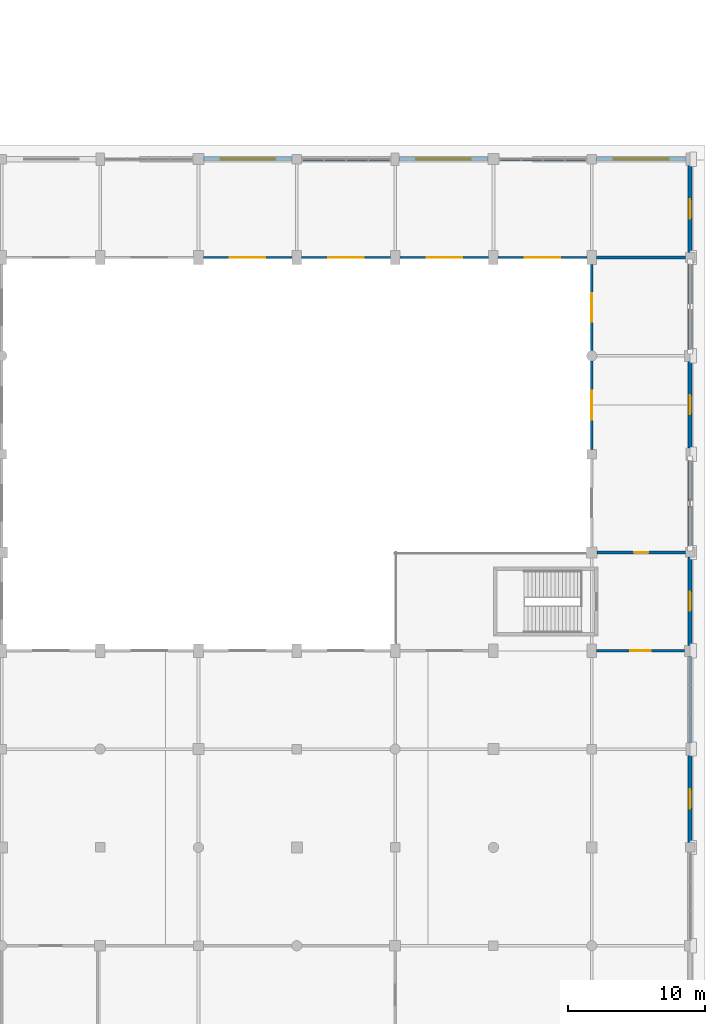
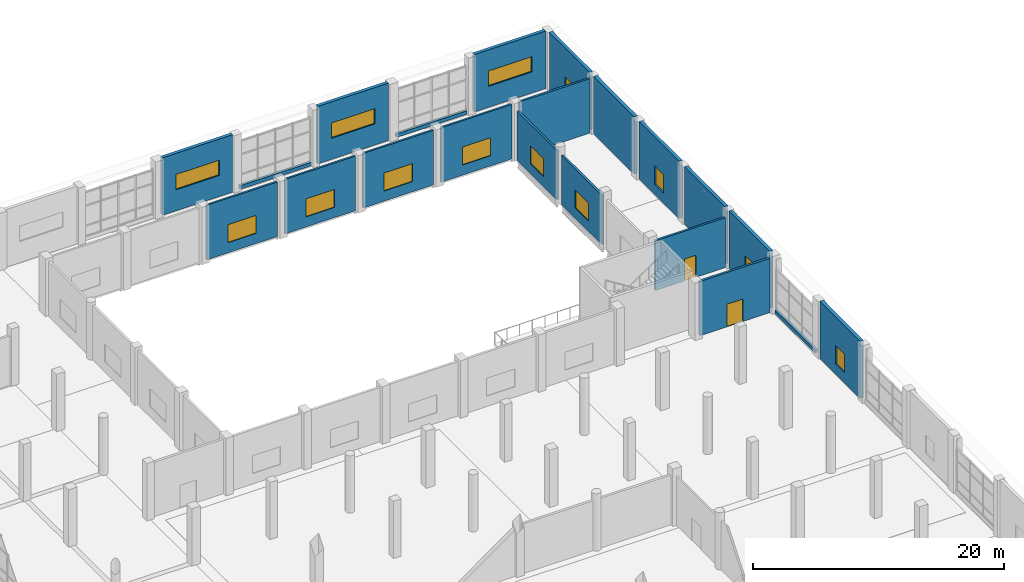
# One storey, part 60 of 80: 21 walls, 13 windows, 2 doors, 15 openings.
"""IFC4 building model written with IfcOpenShell, lengths in metres."""

from ifc_helpers import new_model, si_unit, direction, frame, frame_2d, origin, place, context, subcontext, project, spatial, rectangle, extrude, material, layer, layer_set, type_object, element, fill, save


model = new_model("IFC4")

# Units and contexts
model_context = context("Model", 3, precision=1e-05, world=origin(), true_north=direction((0.0, 1.0)))
body_context = subcontext(model_context, "Body", "Model", "MODEL_VIEW")
ifc_project = project(units=[si_unit("LENGTHUNIT", "METRE"), si_unit("AREAUNIT", "SQUARE_METRE"), si_unit("VOLUMEUNIT", "CUBIC_METRE"), si_unit("PLANEANGLEUNIT", "RADIAN"), si_unit("MASSUNIT", "GRAM", prefix="KILO")], contexts=[model_context])

# Site, building, storey
site_placement = place(None, origin())
site = spatial("IfcSite", under=ifc_project, at=site_placement, CompositionType="ELEMENT")
building_placement = place(site_placement, origin())
building = spatial("IfcBuilding", under=site, at=building_placement, Name="Sardonyx Promenade Sports Hall", CompositionType="ELEMENT")
storey_placement = place(building_placement, frame((0.0, 0.0, 5.60009765625)))
storey = spatial("IfcBuildingStorey", under=building, at=storey_placement, Name="L01", CompositionType="ELEMENT", Elevation=5.60009765625)

# Wall, opening, window
ifc_material_1 = material(Name="Concrete C40/50", Category="concrete")
ifc_layer_1 = layer(ifc_material_1, 0.300048828125)
ifc_layer_set_1 = layer_set([ifc_layer_1], Name="Wall_Ext_Hall_300")
wall_type_1 = type_object("IfcWallType", Name="Wall_Ext_Hall_300", PredefinedType="SOLIDWALL", material=ifc_layer_set_1)
wall_1_placement = place(storey_placement, frame((165.60009765625, 85.965087890625, 0.0), z_axis=(0.0, 0.0, 1.0), x_axis=(0.0, -1.0, 0.0)))
wall_1 = element("IfcWall", 1, at=wall_1_placement, inside=storey, type_object=wall_type_1, Name="Exterior wall EW04 L01 #104", PredefinedType="SOLIDWALL", context=body_context, shape_type="SweptSolid", body=[
    extrude(rectangle(XDim=6.43017578125, YDim=0.300048828125, at=frame_2d((3.215087890625, 0.0))), origin(), (0.0, 0.0, 1.0), 5.599853515625),
])
opening_1_placement = place(wall_1_placement, frame((2.514892578125, 0.0, 1.0)))
opening_1 = element("IfcOpeningElement", 2, at=opening_1_placement, cuts=wall_1, Name="Opening W05", PredefinedType="OPENING", context=body_context, shape_type="SweptSolid", body=[
    extrude(rectangle(XDim=1.39990234375, YDim=1.800048828125, at=frame_2d((0.699951171875, 0.89990234375))), frame((0.0, 0.16, 0.0), z_axis=(0.0, -1.0, 0.0), x_axis=(1.0, 0.0, 0.0)), (0.0, 0.0, 1.0), 0.32),
])
ifc_material_2 = material(Name="Double-glazed solar low-E aluminium window", Category="aluminium")
window_type_1 = type_object("IfcWindowType", Name="Win_Clinic_140x180", PartitioningType="SINGLE_PANEL", PredefinedType="WINDOW", material=ifc_material_2)
window_1_placement = place(opening_1_placement, origin())
window_1 = element("IfcWindow", 3, at=window_1_placement, inside=storey, type_object=window_type_1, Name="Facade window W05 L01 #43", OverallHeight=1.800048828125, OverallWidth=1.39990234375, PartitioningType="SINGLE_PANEL", PredefinedType="WINDOW", context=body_context, shape_type="SweptSolid", body=[
    extrude(rectangle(XDim=1.39990234375, YDim=1.800048828125, at=frame_2d((0.699951171875, 0.89990234375))), frame((0.0, 0.030029296875, 0.0), z_axis=(0.0, -1.0, 0.0), x_axis=(1.0, 0.0, 0.0)), (0.0, 0.0, 1.0), 0.06005859375),
])
fill(opening_1, window_1)

# Wall
wall_2_placement = place(storey_placement, frame((165.60009765625, 78.864990234375, 0.0), z_axis=(0.0, 0.0, 1.0), x_axis=(0.0, -1.0, 0.0)))
element("IfcWall", 4, at=wall_2_placement, inside=storey, type_object=wall_type_1, Name="Exterior wall EW04 L01 #105", PredefinedType="SOLIDWALL", context=body_context, shape_type="SweptSolid", body=[
    extrude(rectangle(XDim=6.47998046875, YDim=0.300048828125, at=frame_2d((3.239990234375, 0.0))), origin(), (0.0, 0.0, 1.0), 5.599853515625),
])

# Wall, opening, window
wall_3_placement = place(storey_placement, frame((165.60009765625, 71.614990234375, 0.0), z_axis=(0.0, 0.0, 1.0), x_axis=(0.0, -1.0, 0.0)))
wall_3 = element("IfcWall", 5, at=wall_3_placement, inside=storey, type_object=wall_type_1, Name="Exterior wall EW04 L01 #106", PredefinedType="SOLIDWALL", context=body_context, shape_type="SweptSolid", body=[
    extrude(rectangle(XDim=6.3798828125, YDim=0.300048828125, at=frame_2d((3.18994140625, 0.0))), origin(), (0.0, 0.0, 1.0), 5.599853515625),
])
opening_2_placement = place(wall_3_placement, frame((2.489990234375, 0.0, 1.0)))
opening_2 = element("IfcOpeningElement", 6, at=opening_2_placement, cuts=wall_3, Name="Opening W05", PredefinedType="OPENING", context=body_context, shape_type="SweptSolid", body=[
    extrude(rectangle(XDim=1.39990234375, YDim=1.800048828125, at=frame_2d((0.699951171875, 0.89990234375))), frame((0.0, 0.16, 0.0), z_axis=(0.0, -1.0, 0.0), x_axis=(1.0, 0.0, 0.0)), (0.0, 0.0, 1.0), 0.32),
])
window_2_placement = place(opening_2_placement, origin())
window_2 = element("IfcWindow", 7, at=window_2_placement, inside=storey, type_object=window_type_1, Name="Facade window W05 L01 #44", OverallHeight=1.800048828125, OverallWidth=1.39990234375, PartitioningType="SINGLE_PANEL", PredefinedType="WINDOW", context=body_context, shape_type="SweptSolid", body=[
    extrude(rectangle(XDim=1.39990234375, YDim=1.800048828125, at=frame_2d((0.699951171875, 0.89990234375))), frame((0.0, 0.030029296875, 0.0), z_axis=(0.0, -1.0, 0.0), x_axis=(1.0, 0.0, 0.0)), (0.0, 0.0, 1.0), 0.06005859375),
])
fill(opening_2, window_2)

# Wall
wall_4_placement = place(storey_placement, frame((165.60009765625, 64.364990234375, 0.0), z_axis=(0.0, 0.0, 1.0), x_axis=(0.0, -1.0, 0.0)))
element("IfcWall", 8, at=wall_4_placement, inside=storey, type_object=wall_type_1, Name="Exterior wall EW04 L01 #107", PredefinedType="SOLIDWALL", context=body_context, shape_type="SweptSolid", body=[
    extrude(rectangle(XDim=6.429931640625, YDim=0.300048828125, at=frame_2d((3.21484375, 0.0))), origin(), (0.0, 0.0, 1.0), 5.599853515625),
])

# Wall, opening, window
wall_5_placement = place(storey_placement, frame((165.60009765625, 57.264892578125, 0.0), z_axis=(0.0, 0.0, 1.0), x_axis=(0.0, -1.0, 0.0)))
wall_5 = element("IfcWall", 9, at=wall_5_placement, inside=storey, type_object=wall_type_1, Name="Exterior wall EW04 L01 #108", PredefinedType="SOLIDWALL", context=body_context, shape_type="SweptSolid", body=[
    extrude(rectangle(XDim=6.47998046875, YDim=0.300048828125, at=frame_2d((3.239990234375, 0.0))), origin(), (0.0, 0.0, 1.0), 5.599853515625),
])
opening_3_placement = place(wall_5_placement, frame((2.5400390625, 0.0, 1.0)))
opening_3 = element("IfcOpeningElement", 10, at=opening_3_placement, cuts=wall_5, Name="Opening W05", PredefinedType="OPENING", context=body_context, shape_type="SweptSolid", body=[
    extrude(rectangle(XDim=1.39990234375, YDim=1.800048828125, at=frame_2d((0.699951171875, 0.89990234375))), frame((0.0, 0.16, 0.0), z_axis=(0.0, -1.0, 0.0), x_axis=(1.0, 0.0, 0.0)), (0.0, 0.0, 1.0), 0.32),
])
window_3_placement = place(opening_3_placement, origin())
window_3 = element("IfcWindow", 11, at=window_3_placement, inside=storey, type_object=window_type_1, Name="Facade window W05 L01 #45", OverallHeight=1.800048828125, OverallWidth=1.39990234375, PartitioningType="SINGLE_PANEL", PredefinedType="WINDOW", context=body_context, shape_type="SweptSolid", body=[
    extrude(rectangle(XDim=1.39990234375, YDim=1.800048828125, at=frame_2d((0.699951171875, 0.89990234375))), frame((0.0, 0.030029296875, 0.0), z_axis=(0.0, -1.0, 0.0), x_axis=(1.0, 0.0, 0.0)), (0.0, 0.0, 1.0), 0.06005859375),
])
fill(opening_3, window_3)

wall_6_placement = place(storey_placement, frame((165.60009765625, 42.764892578125, 0.0), z_axis=(0.0, 0.0, 1.0), x_axis=(0.0, -1.0, 0.0)))
wall_6 = element("IfcWall", 12, at=wall_6_placement, inside=storey, type_object=wall_type_1, Name="Exterior wall EW04 L01 #110", PredefinedType="SOLIDWALL", context=body_context, shape_type="SweptSolid", body=[
    extrude(rectangle(XDim=6.429931640625, YDim=0.300048828125, at=frame_2d((3.21484375, 0.0))), origin(), (0.0, 0.0, 1.0), 5.599853515625),
])
opening_4_placement = place(wall_6_placement, frame((2.514892578125, 0.0, 1.0)))
opening_4 = element("IfcOpeningElement", 13, at=opening_4_placement, cuts=wall_6, Name="Opening W05", PredefinedType="OPENING", context=body_context, shape_type="SweptSolid", body=[
    extrude(rectangle(XDim=1.39990234375, YDim=1.800048828125, at=frame_2d((0.699951171875, 0.89990234375))), frame((0.0, 0.16, 0.0), z_axis=(0.0, -1.0, 0.0), x_axis=(1.0, 0.0, 0.0)), (0.0, 0.0, 1.0), 0.32),
])
window_4_placement = place(opening_4_placement, origin())
window_4 = element("IfcWindow", 14, at=window_4_placement, inside=storey, type_object=window_type_1, Name="Facade window W05 L01 #46", OverallHeight=1.800048828125, OverallWidth=1.39990234375, PartitioningType="SINGLE_PANEL", PredefinedType="WINDOW", context=body_context, shape_type="SweptSolid", body=[
    extrude(rectangle(XDim=1.39990234375, YDim=1.800048828125, at=frame_2d((0.699951171875, 0.89990234375))), frame((0.0, 0.030029296875, 0.0), z_axis=(0.0, -1.0, 0.0), x_axis=(1.0, 0.0, 0.0)), (0.0, 0.0, 1.0), 0.06005859375),
])
fill(opening_4, window_4)

wall_7_placement = place(storey_placement, frame((129.985107421875, 86.39990234375, 0.0), z_axis=(0.0, 0.0, 1.0), x_axis=(1.0, 0.0, 0.0)))
wall_7 = element("IfcWall", 15, at=wall_7_placement, inside=storey, type_object=wall_type_1, Name="Exterior wall EW04 L01 #197", PredefinedType="SOLIDWALL", context=body_context, shape_type="SweptSolid", body=[
    extrude(rectangle(XDim=6.47998046875, YDim=0.300048828125, at=frame_2d((3.239990234375, 0.0))), origin(), (0.0, 0.0, 1.0), 5.599853515625),
])
opening_5_placement = place(wall_7_placement, frame((1.239990234375, 0.0, 2.050048828125)))
opening_5 = element("IfcOpeningElement", 16, at=opening_5_placement, cuts=wall_7, Name="Opening W14", PredefinedType="OPENING", context=body_context, shape_type="SweptSolid", body=[
    extrude(rectangle(XDim=4.0, YDim=1.5, at=frame_2d((2.0, 0.75))), frame((0.0, 0.16, 0.0), z_axis=(0.0, -1.0, 0.0), x_axis=(1.0, 0.0, 0.0)), (0.0, 0.0, 1.0), 0.32),
])
ifc_material_3 = material(Name="Double-glazed solar low-E aluminium window", Category="aluminium")
window_type_2 = type_object("IfcWindowType", Name="Win_Clerestory_400x150", PartitioningType="DOUBLE_PANEL_VERTICAL", PredefinedType="WINDOW", material=ifc_material_3)
window_5_placement = place(opening_5_placement, origin())
window_5 = element("IfcWindow", 17, at=window_5_placement, inside=storey, type_object=window_type_2, Name="Facade window W14 L01 #77", OverallHeight=1.5, OverallWidth=4.0, PartitioningType="SINGLE_PANEL", PredefinedType="WINDOW", context=body_context, shape_type="SweptSolid", body=[
    extrude(rectangle(XDim=4.0, YDim=1.5, at=frame_2d((2.0, 0.75))), frame((0.0, 0.030029296875, 0.0), z_axis=(0.0, -1.0, 0.0), x_axis=(1.0, 0.0, 0.0)), (0.0, 0.0, 1.0), 0.06005859375),
])
fill(opening_5, window_5)

wall_8_placement = place(storey_placement, frame((144.284912109375, 86.39990234375, 0.0), z_axis=(0.0, 0.0, 1.0), x_axis=(1.0, 0.0, 0.0)))
wall_8 = element("IfcWall", 18, at=wall_8_placement, inside=storey, type_object=wall_type_1, Name="Exterior wall EW04 L01 #199", PredefinedType="SOLIDWALL", context=body_context, shape_type="SweptSolid", body=[
    extrude(rectangle(XDim=6.530029296875, YDim=0.300048828125, at=frame_2d((3.26513671875, 0.0))), origin(), (0.0, 0.0, 1.0), 5.599853515625),
])
opening_6_placement = place(wall_8_placement, frame((1.264892578125, 0.0, 2.050048828125)))
opening_6 = element("IfcOpeningElement", 19, at=opening_6_placement, cuts=wall_8, Name="Opening W14", PredefinedType="OPENING", context=body_context, shape_type="SweptSolid", body=[
    extrude(rectangle(XDim=4.0, YDim=1.5, at=frame_2d((2.0, 0.75))), frame((0.0, 0.16, 0.0), z_axis=(0.0, -1.0, 0.0), x_axis=(1.0, 0.0, 0.0)), (0.0, 0.0, 1.0), 0.32),
])
window_6_placement = place(opening_6_placement, origin())
window_6 = element("IfcWindow", 20, at=window_6_placement, inside=storey, type_object=window_type_2, Name="Facade window W14 L01 #78", OverallHeight=1.5, OverallWidth=4.0, PartitioningType="SINGLE_PANEL", PredefinedType="WINDOW", context=body_context, shape_type="SweptSolid", body=[
    extrude(rectangle(XDim=4.0, YDim=1.5, at=frame_2d((2.0, 0.75))), frame((0.0, 0.030029296875, 0.0), z_axis=(0.0, -1.0, 0.0), x_axis=(1.0, 0.0, 0.0)), (0.0, 0.0, 1.0), 0.06005859375),
])
fill(opening_6, window_6)

wall_9_placement = place(storey_placement, frame((158.735107421875, 86.39990234375, 0.0), z_axis=(0.0, 0.0, 1.0), x_axis=(1.0, 0.0, 0.0)))
wall_9 = element("IfcWall", 21, at=wall_9_placement, inside=storey, type_object=wall_type_1, Name="Exterior wall EW04 L01 #201", PredefinedType="SOLIDWALL", context=body_context, shape_type="SweptSolid", body=[
    extrude(rectangle(XDim=6.579833984375, YDim=0.300048828125, at=frame_2d((3.2900390625, 0.0))), origin(), (0.0, 0.0, 1.0), 5.599853515625),
])
opening_7_placement = place(wall_9_placement, frame((1.2900390625, 0.0, 2.050048828125)))
opening_7 = element("IfcOpeningElement", 22, at=opening_7_placement, cuts=wall_9, Name="Opening W14", PredefinedType="OPENING", context=body_context, shape_type="SweptSolid", body=[
    extrude(rectangle(XDim=4.0, YDim=1.5, at=frame_2d((2.0, 0.75))), frame((0.0, 0.16, 0.0), z_axis=(0.0, -1.0, 0.0), x_axis=(1.0, 0.0, 0.0)), (0.0, 0.0, 1.0), 0.32),
])
window_7_placement = place(opening_7_placement, origin())
window_7 = element("IfcWindow", 23, at=window_7_placement, inside=storey, type_object=window_type_2, Name="Facade window W14 L01 #79", OverallHeight=1.5, OverallWidth=4.0, PartitioningType="SINGLE_PANEL", PredefinedType="WINDOW", context=body_context, shape_type="SweptSolid", body=[
    extrude(rectangle(XDim=4.0, YDim=1.5, at=frame_2d((2.0, 0.75))), frame((0.0, 0.030029296875, 0.0), z_axis=(0.0, -1.0, 0.0), x_axis=(1.0, 0.0, 0.0)), (0.0, 0.0, 1.0), 0.06005859375),
])
fill(opening_7, window_7)

# Walls
ifc_material_4 = material(Name="Masonry CMU 15 MPa", Category="masonry")
ifc_layer_2 = layer(ifc_material_4, 0.239990234375)
ifc_layer_set_2 = layer_set([ifc_layer_2], Name="Wall_Ext_Spandrel_240")
wall_type_2 = type_object("IfcWallType", Name="Wall_Ext_Spandrel_240", PredefinedType="SOLIDWALL", material=ifc_layer_set_2)
wall_10_placement = place(storey_placement, frame((165.60009765625, 50.014892578125, 0.0), z_axis=(0.0, 0.0, 1.0), x_axis=(0.0, -1.0, 0.0)))
element("IfcWall", 24, at=wall_10_placement, inside=storey, type_object=wall_type_2, Name="Curtain-wall sill spandrel L01 #109", PredefinedType="SOLIDWALL", context=body_context, shape_type="SweptSolid", body=[
    extrude(rectangle(XDim=6.3798828125, YDim=0.239990234375, at=frame_2d((3.18994140625, 0.0))), origin(), (0.0, 0.0, 1.0), 0.349853515625),
])
wall_11_placement = place(storey_placement, frame((137.135009765625, 86.39990234375, 0.0), z_axis=(0.0, 0.0, 1.0), x_axis=(1.0, 0.0, 0.0)))
element("IfcWall", 25, at=wall_11_placement, inside=storey, type_object=wall_type_2, Name="Curtain-wall sill spandrel L01 #198", PredefinedType="SOLIDWALL", context=body_context, shape_type="SweptSolid", body=[
    extrude(rectangle(XDim=6.580078125, YDim=0.239990234375, at=frame_2d((3.2900390625, 0.0))), origin(), (0.0, 0.0, 1.0), 0.349853515625),
])
wall_12_placement = place(storey_placement, frame((151.5849609375, 86.39990234375, 0.0), z_axis=(0.0, 0.0, 1.0), x_axis=(1.0, 0.0, 0.0)))
element("IfcWall", 26, at=wall_12_placement, inside=storey, type_object=wall_type_2, Name="Curtain-wall sill spandrel L01 #200", PredefinedType="SOLIDWALL", context=body_context, shape_type="SweptSolid", body=[
    extrude(rectangle(XDim=6.47998046875, YDim=0.239990234375, at=frame_2d((3.239990234375, 0.0))), origin(), (0.0, 0.0, 1.0), 0.349853515625),
])

# Wall, opening, window
ifc_material_5 = material(Name="Twin-stud acoustic gypsum partition", Category="gypsum")
ifc_layer_3 = layer(ifc_material_5, 0.169921875)
ifc_layer_set_3 = layer_set([ifc_layer_3], Name="Wall_Part_Acoust_170")
wall_type_3 = type_object("IfcWallType", Name="Wall_Part_Acoust_170", PredefinedType="PARTITIONING", material=ifc_layer_set_3)
wall_13_placement = place(storey_placement, frame((129.949951171875, 79.199951171875, 0.0), z_axis=(0.0, 0.0, 1.0), x_axis=(1.0, 0.0, 0.0)))
wall_13 = element("IfcWall", 27, at=wall_13_placement, inside=storey, type_object=wall_type_3, Name="Interior partition PW06 L01 #476", PredefinedType="PARTITIONING", context=body_context, shape_type="SweptSolid", body=[
    extrude(rectangle(XDim=6.5, YDim=0.169921875, at=frame_2d((3.25, 0.0))), origin(), (0.0, 0.0, 1.0), 5.31982421875),
])
opening_8_placement = place(wall_13_placement, frame((1.949951171875, 0.0, 1.0)))
opening_8 = element("IfcOpeningElement", 28, at=opening_8_placement, cuts=wall_13, Name="Opening IW07", PredefinedType="OPENING", context=body_context, shape_type="SweptSolid", body=[
    extrude(rectangle(XDim=2.60009765625, YDim=1.75, at=frame_2d((1.300048828125, 0.875))), frame((0.0, 0.095, 0.0), z_axis=(0.0, -1.0, 0.0), x_axis=(1.0, 0.0, 0.0)), (0.0, 0.0, 1.0), 0.19),
])
ifc_material_6 = material(Name="Acoustic laminated sports viewing glazing EI 60", Category="glass")
window_type_3 = type_object("IfcWindowType", Name="IWin_Prac_260x175", PartitioningType="DOUBLE_PANEL_VERTICAL", PredefinedType="WINDOW", material=ifc_material_6)
window_8_placement = place(opening_8_placement, origin())
window_8 = element("IfcWindow", 29, at=window_8_placement, inside=storey, type_object=window_type_3, Name="Internal viewing window IW07 L01 #64", OverallHeight=1.75, OverallWidth=2.60009765625, PartitioningType="SINGLE_PANEL", PredefinedType="WINDOW", context=body_context, shape_type="SweptSolid", body=[
    extrude(rectangle(XDim=2.60009765625, YDim=1.75, at=frame_2d((1.300048828125, 0.875))), frame((0.0, 0.030029296875, 0.0), z_axis=(0.0, -1.0, 0.0), x_axis=(1.0, 0.0, 0.0)), (0.0, 0.0, 1.0), 0.06005859375),
])
fill(opening_8, window_8)

wall_14_placement = place(storey_placement, frame((137.14990234375, 79.199951171875, 0.0), z_axis=(0.0, 0.0, 1.0), x_axis=(1.0, 0.0, 0.0)))
wall_14 = element("IfcWall", 30, at=wall_14_placement, inside=storey, type_object=wall_type_3, Name="Interior partition PW06 L01 #478", PredefinedType="PARTITIONING", context=body_context, shape_type="SweptSolid", body=[
    extrude(rectangle(XDim=6.5, YDim=0.169921875, at=frame_2d((3.25, 0.0))), origin(), (0.0, 0.0, 1.0), 5.31982421875),
])
opening_9_placement = place(wall_14_placement, frame((1.949951171875, 0.0, 1.0)))
opening_9 = element("IfcOpeningElement", 31, at=opening_9_placement, cuts=wall_14, Name="Opening IW07", PredefinedType="OPENING", context=body_context, shape_type="SweptSolid", body=[
    extrude(rectangle(XDim=2.60009765625, YDim=1.75, at=frame_2d((1.300048828125, 0.875))), frame((0.0, 0.095, 0.0), z_axis=(0.0, -1.0, 0.0), x_axis=(1.0, 0.0, 0.0)), (0.0, 0.0, 1.0), 0.19),
])
window_9_placement = place(opening_9_placement, origin())
window_9 = element("IfcWindow", 32, at=window_9_placement, inside=storey, type_object=window_type_3, Name="Internal viewing window IW07 L01 #66", OverallHeight=1.75, OverallWidth=2.60009765625, PartitioningType="SINGLE_PANEL", PredefinedType="WINDOW", context=body_context, shape_type="SweptSolid", body=[
    extrude(rectangle(XDim=2.60009765625, YDim=1.75, at=frame_2d((1.300048828125, 0.875))), frame((0.0, 0.030029296875, 0.0), z_axis=(0.0, -1.0, 0.0), x_axis=(1.0, 0.0, 0.0)), (0.0, 0.0, 1.0), 0.06005859375),
])
fill(opening_9, window_9)

wall_15_placement = place(storey_placement, frame((144.35009765625, 79.199951171875, 0.0), z_axis=(0.0, 0.0, 1.0), x_axis=(1.0, 0.0, 0.0)))
wall_15 = element("IfcWall", 33, at=wall_15_placement, inside=storey, type_object=wall_type_3, Name="Interior partition PW06 L01 #480", PredefinedType="PARTITIONING", context=body_context, shape_type="SweptSolid", body=[
    extrude(rectangle(XDim=6.5, YDim=0.169921875, at=frame_2d((3.25, 0.0))), origin(), (0.0, 0.0, 1.0), 5.31982421875),
])
opening_10_placement = place(wall_15_placement, frame((1.949951171875, 0.0, 1.0)))
opening_10 = element("IfcOpeningElement", 34, at=opening_10_placement, cuts=wall_15, Name="Opening IW07", PredefinedType="OPENING", context=body_context, shape_type="SweptSolid", body=[
    extrude(rectangle(XDim=2.60009765625, YDim=1.75, at=frame_2d((1.300048828125, 0.875))), frame((0.0, 0.095, 0.0), z_axis=(0.0, -1.0, 0.0), x_axis=(1.0, 0.0, 0.0)), (0.0, 0.0, 1.0), 0.19),
])
window_10_placement = place(opening_10_placement, origin())
window_10 = element("IfcWindow", 35, at=window_10_placement, inside=storey, type_object=window_type_3, Name="Internal viewing window IW07 L01 #68", OverallHeight=1.75, OverallWidth=2.60009765625, PartitioningType="SINGLE_PANEL", PredefinedType="WINDOW", context=body_context, shape_type="SweptSolid", body=[
    extrude(rectangle(XDim=2.60009765625, YDim=1.75, at=frame_2d((1.300048828125, 0.875))), frame((0.0, 0.030029296875, 0.0), z_axis=(0.0, -1.0, 0.0), x_axis=(1.0, 0.0, 0.0)), (0.0, 0.0, 1.0), 0.06005859375),
])
fill(opening_10, window_10)

wall_16_placement = place(storey_placement, frame((151.550048828125, 79.199951171875, 0.0), z_axis=(0.0, 0.0, 1.0), x_axis=(1.0, 0.0, 0.0)))
wall_16 = element("IfcWall", 36, at=wall_16_placement, inside=storey, type_object=wall_type_3, Name="Interior partition PW06 L01 #481", PredefinedType="PARTITIONING", context=body_context, shape_type="SweptSolid", body=[
    extrude(rectangle(XDim=6.5, YDim=0.169921875, at=frame_2d((3.25, 0.0))), origin(), (0.0, 0.0, 1.0), 5.309814453125),
])
opening_11_placement = place(wall_16_placement, frame((1.949951171875, 0.0, 1.0)))
opening_11 = element("IfcOpeningElement", 37, at=opening_11_placement, cuts=wall_16, Name="Opening IW07", PredefinedType="OPENING", context=body_context, shape_type="SweptSolid", body=[
    extrude(rectangle(XDim=2.60009765625, YDim=1.75, at=frame_2d((1.300048828125, 0.875))), frame((0.0, 0.095, 0.0), z_axis=(0.0, -1.0, 0.0), x_axis=(1.0, 0.0, 0.0)), (0.0, 0.0, 1.0), 0.19),
])
window_11_placement = place(opening_11_placement, origin())
window_11 = element("IfcWindow", 38, at=window_11_placement, inside=storey, type_object=window_type_3, Name="Internal viewing window IW07 L01 #69", OverallHeight=1.75, OverallWidth=2.60009765625, PartitioningType="SINGLE_PANEL", PredefinedType="WINDOW", context=body_context, shape_type="SweptSolid", body=[
    extrude(rectangle(XDim=2.60009765625, YDim=1.75, at=frame_2d((1.300048828125, 0.875))), frame((0.0, 0.030029296875, 0.0), z_axis=(0.0, -1.0, 0.0), x_axis=(1.0, 0.0, 0.0)), (0.0, 0.0, 1.0), 0.06005859375),
])
fill(opening_11, window_11)

# Wall, opening, door
ifc_material_7 = material(Name="Masonry CMU 15 MPa", Category="masonry")
ifc_layer_4 = layer(ifc_material_7, 0.18994140625)
ifc_layer_set_4 = layer_set([ifc_layer_4], Name="Wall_Part_Block_190")
wall_type_4 = type_object("IfcWallType", Name="Wall_Part_Block_190", PredefinedType="PARTITIONING", material=ifc_layer_set_4)
wall_17_placement = place(storey_placement, frame((158.800048828125, 57.60009765625, 0.0), z_axis=(0.0, 0.0, 1.0), x_axis=(1.0, 0.0, 0.0)))
wall_17 = element("IfcWall", 39, at=wall_17_placement, inside=storey, type_object=wall_type_4, Name="Interior partition PW03 L01 #462", PredefinedType="PARTITIONING", context=body_context, shape_type="SweptSolid", body=[
    extrude(rectangle(XDim=6.449951171875, YDim=0.18994140625, at=frame_2d((3.22509765625, 0.0))), origin(), (0.0, 0.0, 1.0), 4.8564453125),
])
opening_12_placement = place(wall_17_placement, frame((2.699951171875, 0.0, 0.0)))
opening_12 = element("IfcOpeningElement", 40, at=opening_12_placement, cuts=wall_17, Name="Opening ID07", PredefinedType="OPENING", context=body_context, shape_type="SweptSolid", body=[
    extrude(rectangle(XDim=1.050048828125, YDim=2.14990234375, at=frame_2d((0.52490234375, 1.074951171875))), frame((0.0, 0.105, 0.0), z_axis=(0.0, -1.0, 0.0), x_axis=(1.0, 0.0, 0.0)), (0.0, 0.0, 1.0), 0.21),
])
ifc_material_8 = material(Name="Hardwood accessible fire door FD30S", Category="wood")
door_type_1 = type_object("IfcDoorType", Name="Door_Corr_FD30_105x215", OperationType="NOTDEFINED", PredefinedType="DOOR", material=ifc_material_8)
door_1_placement = place(opening_12_placement, origin())
door_1 = element("IfcDoor", 41, at=door_1_placement, inside=storey, type_object=door_type_1, Name="Interior door D01-147", OperationType="SINGLE_SWING_LEFT", OverallHeight=2.14990234375, OverallWidth=1.050048828125, PredefinedType="DOOR", context=body_context, shape_type="SweptSolid", body=[
    extrude(rectangle(XDim=1.050048828125, YDim=2.14990234375, at=frame_2d((0.52490234375, 1.074951171875))), frame((0.0, 0.02490234375, 0.0), z_axis=(0.0, -1.0, 0.0), x_axis=(1.0, 0.0, 0.0)), (0.0, 0.0, 1.0), 0.050048828125),
])
fill(opening_12, door_1)

# Wall
wall_18_placement = place(storey_placement, frame((158.75, 79.199951171875, 0.0), z_axis=(0.0, 0.0, 1.0), x_axis=(1.0, 0.0, 0.0)))
element("IfcWall", 42, at=wall_18_placement, inside=storey, type_object=wall_type_4, Name="Interior partition PW03 L01 #463", PredefinedType="PARTITIONING", context=body_context, shape_type="SweptSolid", body=[
    extrude(rectangle(XDim=6.5, YDim=0.18994140625, at=frame_2d((3.25, 0.0))), origin(), (0.0, 0.0, 1.0), 5.309814453125),
])

# Wall, opening, window
wall_19_placement = place(storey_placement, frame((158.39990234375, 65.14990234375, 0.0), z_axis=(0.0, 0.0, 1.0), x_axis=(0.0, 1.0, 0.0)))
wall_19 = element("IfcWall", 43, at=wall_19_placement, inside=storey, type_object=wall_type_4, Name="Interior partition PW03 L01 #468", PredefinedType="PARTITIONING", context=body_context, shape_type="SweptSolid", body=[
    extrude(rectangle(XDim=6.47509765625, YDim=0.18994140625, at=frame_2d((3.237548828125, 0.0))), origin(), (0.0, 0.0, 1.0), 4.809814453125),
])
opening_13_placement = place(wall_19_placement, frame((2.1875, 0.0, 1.0)))
opening_13 = element("IfcOpeningElement", 44, at=opening_13_placement, cuts=wall_19, Name="Opening IW04", PredefinedType="OPENING", context=body_context, shape_type="SweptSolid", body=[
    extrude(rectangle(XDim=2.10009765625, YDim=1.75, at=frame_2d((1.050048828125, 0.875))), frame((0.0, 0.105, 0.0), z_axis=(0.0, -1.0, 0.0), x_axis=(1.0, 0.0, 0.0)), (0.0, 0.0, 1.0), 0.21),
])
ifc_material_9 = material(Name="Acoustic laminated sports viewing glazing EI 60", Category="glass")
window_type_4 = type_object("IfcWindowType", Name="IWin_Prac_210x175", PartitioningType="DOUBLE_PANEL_VERTICAL", PredefinedType="WINDOW", material=ifc_material_9)
window_12_placement = place(opening_13_placement, origin())
window_12 = element("IfcWindow", 45, at=window_12_placement, inside=storey, type_object=window_type_4, Name="Internal viewing window IW04 L01 #56", OverallHeight=1.75, OverallWidth=2.10009765625, PartitioningType="SINGLE_PANEL", PredefinedType="WINDOW", context=body_context, shape_type="SweptSolid", body=[
    extrude(rectangle(XDim=2.10009765625, YDim=1.75, at=frame_2d((1.050048828125, 0.875))), frame((0.0, 0.030029296875, 0.0), z_axis=(0.0, -1.0, 0.0), x_axis=(1.0, 0.0, 0.0)), (0.0, 0.0, 1.0), 0.06005859375),
])
fill(opening_13, window_12)

wall_20_placement = place(storey_placement, frame((158.39990234375, 72.375, 0.0), z_axis=(0.0, 0.0, 1.0), x_axis=(0.0, 1.0, 0.0)))
wall_20 = element("IfcWall", 46, at=wall_20_placement, inside=storey, type_object=wall_type_4, Name="Interior partition PW03 L01 #470", PredefinedType="PARTITIONING", context=body_context, shape_type="SweptSolid", body=[
    extrude(rectangle(XDim=6.324951171875, YDim=0.18994140625, at=frame_2d((3.16259765625, 0.0))), origin(), (0.0, 0.0, 1.0), 4.809814453125),
])
opening_14_placement = place(wall_20_placement, frame((2.112548828125, 0.0, 1.0)))
opening_14 = element("IfcOpeningElement", 47, at=opening_14_placement, cuts=wall_20, Name="Opening IW04", PredefinedType="OPENING", context=body_context, shape_type="SweptSolid", body=[
    extrude(rectangle(XDim=2.10009765625, YDim=1.75, at=frame_2d((1.050048828125, 0.875))), frame((0.0, 0.105, 0.0), z_axis=(0.0, -1.0, 0.0), x_axis=(1.0, 0.0, 0.0)), (0.0, 0.0, 1.0), 0.21),
])
window_13_placement = place(opening_14_placement, origin())
window_13 = element("IfcWindow", 48, at=window_13_placement, inside=storey, type_object=window_type_4, Name="Internal viewing window IW04 L01 #58", OverallHeight=1.75, OverallWidth=2.10009765625, PartitioningType="SINGLE_PANEL", PredefinedType="WINDOW", context=body_context, shape_type="SweptSolid", body=[
    extrude(rectangle(XDim=2.10009765625, YDim=1.75, at=frame_2d((1.050048828125, 0.875))), frame((0.0, 0.030029296875, 0.0), z_axis=(0.0, -1.0, 0.0), x_axis=(1.0, 0.0, 0.0)), (0.0, 0.0, 1.0), 0.06005859375),
])
fill(opening_14, window_13)

# Wall, opening, door
ifc_material_10 = material(Name="Masonry CMU 15 MPa", Category="masonry")
ifc_layer_5 = layer(ifc_material_10, 0.2099609375)
ifc_layer_set_5 = layer_set([ifc_layer_5], Name="Wall_Part_Block_210")
wall_type_5 = type_object("IfcWallType", Name="Wall_Part_Block_210", PredefinedType="PARTITIONING", material=ifc_layer_set_5)
wall_21_placement = place(storey_placement, frame((158.75, 50.39990234375, 0.0), z_axis=(0.0, 0.0, 1.0), x_axis=(1.0, 0.0, 0.0)))
wall_21 = element("IfcWall", 49, at=wall_21_placement, inside=storey, type_object=wall_type_5, Name="Interior partition PW07 L01 #461", PredefinedType="PARTITIONING", context=body_context, shape_type="SweptSolid", body=[
    extrude(rectangle(XDim=6.449951171875, YDim=0.2099609375, at=frame_2d((3.22509765625, 0.0))), origin(), (0.0, 0.0, 1.0), 5.289794921875),
])
opening_15_placement = place(wall_21_placement, frame((2.47509765625, 0.0, 0.0)))
opening_15 = element("IfcOpeningElement", 50, at=opening_15_placement, cuts=wall_21, Name="Opening ID10", PredefinedType="OPENING", context=body_context, shape_type="SweptSolid", body=[
    extrude(rectangle(XDim=1.5, YDim=2.199951171875, at=frame_2d((0.75, 1.10009765625))), frame((0.0, 0.115, 0.0), z_axis=(0.0, -1.0, 0.0), x_axis=(1.0, 0.0, 0.0)), (0.0, 0.0, 1.0), 0.23),
])
ifc_material_11 = material(Name="Double studio entrance fire door FD30S", Category="wood")
door_type_2 = type_object("IfcDoorType", Name="Door_Corr_FD30_150x220", OperationType="NOTDEFINED", PredefinedType="DOOR", material=ifc_material_11)
door_2_placement = place(opening_15_placement, origin())
door_2 = element("IfcDoor", 51, at=door_2_placement, inside=storey, type_object=door_type_2, Name="Interior door D01-146", OperationType="DOUBLE_DOOR_SINGLE_SWING", OverallHeight=2.199951171875, OverallWidth=1.5, PredefinedType="DOOR", context=body_context, shape_type="SweptSolid", body=[
    extrude(rectangle(XDim=1.5, YDim=2.199951171875, at=frame_2d((0.75, 1.10009765625))), frame((0.0, 0.02490234375, 0.0), z_axis=(0.0, -1.0, 0.0), x_axis=(1.0, 0.0, 0.0)), (0.0, 0.0, 1.0), 0.050048828125),
])
fill(opening_15, door_2)

save(model, "model.ifc")
